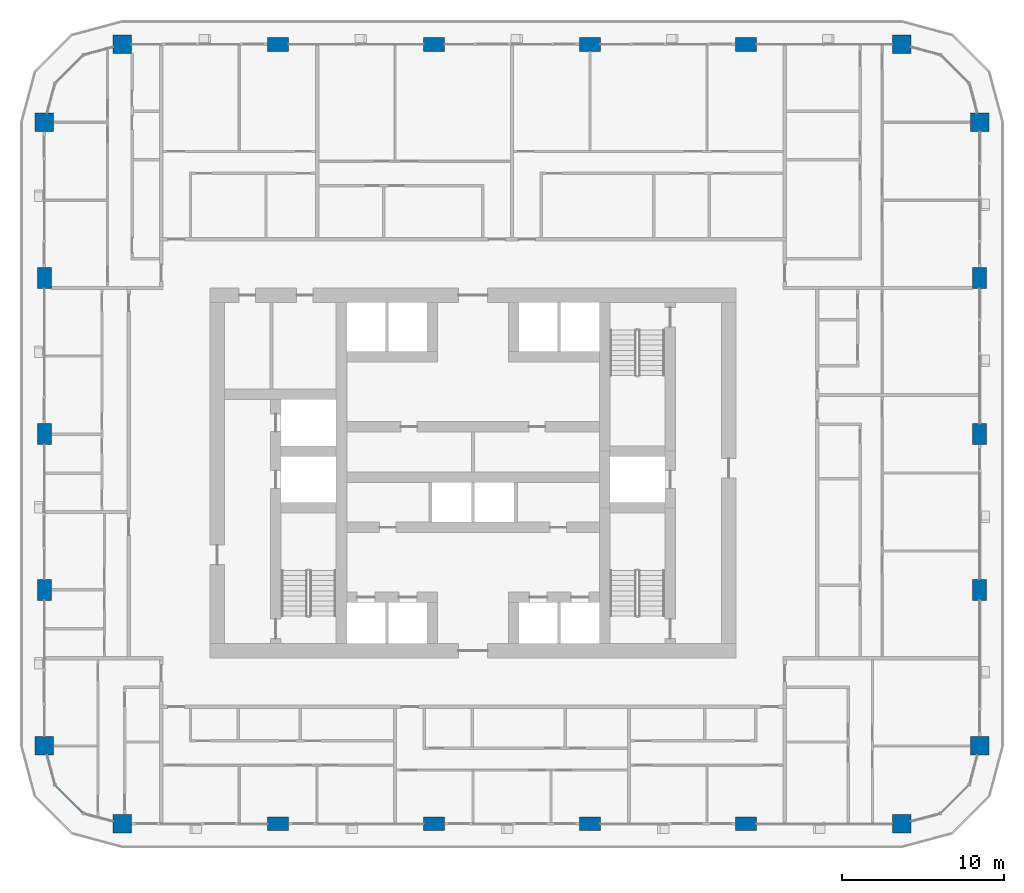
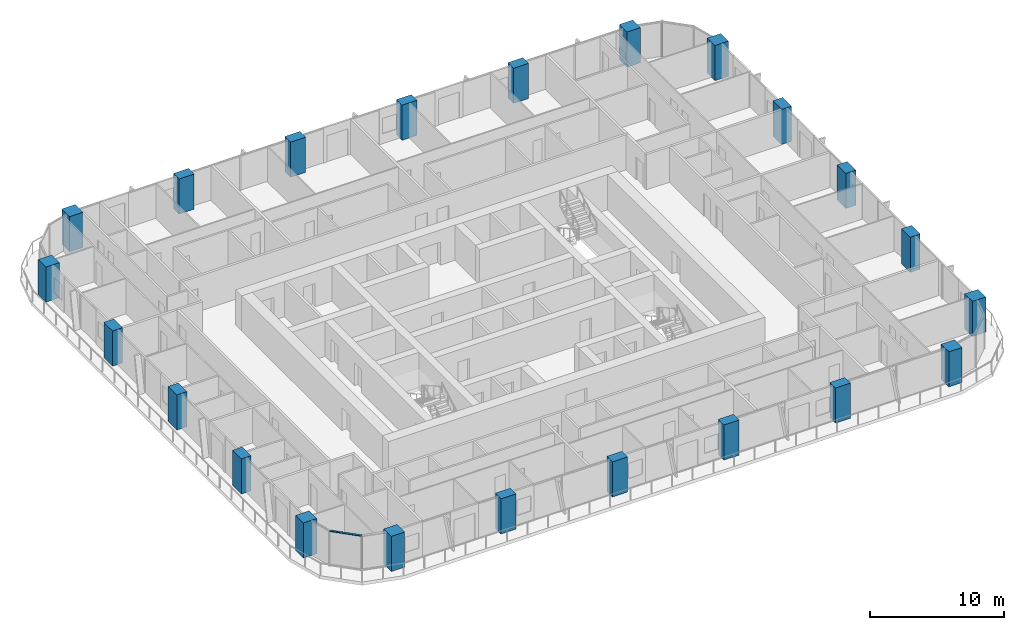
# One storey, part 1 of 21: 22 columns, 1 member, 1 element without a shape of its own.
"""IFC4 building model written with IfcOpenShell, lengths in metres."""

from ifc_helpers import new_model, si_unit, direction, frame, origin, origin_2d, place, context, subcontext, project, spatial, rectangle, extrude, material, layer, layer_set, material_profile, profile_set, type_object, element, aggregate, save


model = new_model("IFC4")

# Units and contexts
model_context = context("Model", 3, precision=1e-05, world=origin(), true_north=direction((0.0, 1.0)))
body_context = subcontext(model_context, "Body", "Model", "MODEL_VIEW")
ifc_project = project(units=[si_unit("LENGTHUNIT", "METRE"), si_unit("AREAUNIT", "SQUARE_METRE"), si_unit("VOLUMEUNIT", "CUBIC_METRE"), si_unit("PLANEANGLEUNIT", "RADIAN"), si_unit("MASSUNIT", "GRAM", prefix="KILO")], contexts=[model_context])

# Site, building, storey
site_placement = place(None, origin())
site = spatial("IfcSite", under=ifc_project, at=site_placement, CompositionType="ELEMENT")
building_placement = place(site_placement, origin())
building = spatial("IfcBuilding", under=site, at=building_placement, Name="Madar Terraces", CompositionType="ELEMENT")
storey_placement = place(building_placement, frame((0.0, 0.0, 106.699951171875)))
storey = spatial("IfcBuildingStorey", under=building, at=storey_placement, Name="L27", CompositionType="ELEMENT", Elevation=106.699951171875)

# Columns
ifc_material_1 = material(Name="Concrete C80/95", Category="concrete")
ifc_material_profile_1 = material_profile(ifc_material_1, rectangle(XDim=1.300048828125, YDim=0.85009765625, at=origin_2d()), Name="CC2 RC 1300x850")
ifc_profile_set_1 = profile_set([ifc_material_profile_1], Name="Concrete C80/95")
column_type_1 = type_object("IfcColumnType", Name="CC2 RC 1300x850", PredefinedType="COLUMN", material=ifc_profile_set_1)
for number, where, z_axis, x_axis, name in (
    (1, (19.199951171875, 4.800048828125, 0.0), (0.0, 0.0, 1.0), (1.0, 0.0, 0.0), "Perimeter column S2"),
    (2, (28.800048828125, 4.800048828125, 0.0), (0.0, 0.0, 1.0), (1.0, 0.0, 0.0), "Perimeter column S3"),
    (3, (38.39990234375, 4.800048828125, 0.0), (0.0, 0.0, 1.0), (1.0, 0.0, 0.0), "Perimeter column S4"),
    (4, (48.0, 4.800048828125, 0.0), (0.0, 0.0, 1.0), (1.0, 0.0, 0.0), "Perimeter column S5"),
    (5, (62.39990234375, 19.199951171875, 0.0), (0.0, 0.0, 1.0), (0.0, 1.0, 0.0), "Perimeter column E2"),
    (6, (62.39990234375, 28.800048828125, 0.0), (0.0, 0.0, 1.0), (0.0, 1.0, 0.0), "Perimeter column E3"),
    (7, (62.39990234375, 38.39990234375, 0.0), (0.0, 0.0, 1.0), (0.0, 1.0, 0.0), "Perimeter column E4"),
    (8, (48.0, 52.800048828125, 0.0), (0.0, 0.0, 1.0), (1.0, 0.0, 0.0), "Perimeter column N2"),
    (9, (38.39990234375, 52.800048828125, 0.0), (0.0, 0.0, 1.0), (1.0, 0.0, 0.0), "Perimeter column N3"),
    (10, (28.800048828125, 52.800048828125, 0.0), (0.0, 0.0, 1.0), (1.0, 0.0, 0.0), "Perimeter column N4"),
    (11, (19.199951171875, 52.800048828125, 0.0), (0.0, 0.0, 1.0), (1.0, 0.0, 0.0), "Perimeter column N5"),
    (12, (4.800048828125, 38.39990234375, 0.0), (0.0, 0.0, 1.0), (0.0, 1.0, 0.0), "Perimeter column W2"),
    (13, (4.800048828125, 28.800048828125, 0.0), (0.0, 0.0, 1.0), (0.0, 1.0, 0.0), "Perimeter column W3"),
    (14, (4.800048828125, 19.199951171875, 0.0), (0.0, 0.0, 1.0), (0.0, 1.0, 0.0), "Perimeter column W4"),
):
    element("IfcColumn", number, at=place(storey_placement, frame(where, z_axis=z_axis, x_axis=x_axis)), inside=storey, type_object=column_type_1, Name=name, PredefinedType="COLUMN", context=body_context, shape_type="SweptSolid", body=[
        extrude(rectangle(XDim=1.300048828125, YDim=0.85009765625, at=origin_2d()), origin(), (0.0, 0.0, 1.0), 3.199951171875),
    ])
ifc_material_2 = material(Name="Concrete C80/95", Category="concrete")
ifc_material_profile_2 = material_profile(ifc_material_2, rectangle(XDim=1.14990234375, YDim=1.14990234375, at=origin_2d()), Name="KC2 RC 1150x1150")
ifc_profile_set_2 = profile_set([ifc_material_profile_2], Name="Concrete C80/95")
column_type_2 = type_object("IfcColumnType", Name="KC2 RC 1150x1150", PredefinedType="COLUMN", material=ifc_profile_set_2)
for number, where, z_axis, x_axis, name in (
    (15, (9.60009765625, 4.800048828125, 0.0), (0.0, 0.0, 1.0), (1.0, 0.0, 0.0), "Perimeter column S1"),
    (16, (57.60009765625, 4.800048828125, 0.0), (0.0, 0.0, 1.0), (1.0, 0.0, 0.0), "Perimeter column S6"),
    (17, (62.39990234375, 9.60009765625, 0.0), (0.0, 0.0, 1.0), (1.0, 0.0, 0.0), "Perimeter column E1"),
    (18, (62.39990234375, 48.0, 0.0), (0.0, 0.0, 1.0), (1.0, 0.0, 0.0), "Perimeter column E5"),
    (19, (57.60009765625, 52.800048828125, 0.0), (0.0, 0.0, 1.0), (1.0, 0.0, 0.0), "Perimeter column N1"),
    (20, (9.60009765625, 52.800048828125, 0.0), (0.0, 0.0, 1.0), (1.0, 0.0, 0.0), "Perimeter column N6"),
    (21, (4.800048828125, 48.0, 0.0), (0.0, 0.0, 1.0), (1.0, 0.0, 0.0), "Perimeter column W1"),
    (22, (4.800048828125, 9.60009765625, 0.0), (0.0, 0.0, 1.0), (1.0, 0.0, 0.0), "Perimeter column W5"),
):
    element("IfcColumn", number, at=place(storey_placement, frame(where, z_axis=z_axis, x_axis=x_axis)), inside=storey, type_object=column_type_2, Name=name, PredefinedType="COLUMN", context=body_context, shape_type="SweptSolid", body=[
        extrude(rectangle(XDim=1.14990234375, YDim=1.14990234375, at=origin_2d()), origin(), (0.0, 0.0, 1.0), 3.199951171875),
    ])

# Curtain wall, member
ifc_material_3 = material(Name="Glass, ceramic frit dark grey, with black aluminium frame", Category="aluminium")
ifc_layer = layer(ifc_material_3, 0.199951171875)
ifc_layer_set = layer_set([ifc_layer], Name="Facade curtain wall, fritted glass")
curtain_wall_type = type_object("IfcCurtainWallType", Name="Facade curtain wall, fritted glass", PredefinedType="NOTDEFINED", material=ifc_layer_set)
curtain_wall_placement = place(storey_placement, origin())
curtain_wall = element("IfcCurtainWall", 23, at=curtain_wall_placement, inside=storey, type_object=curtain_wall_type, Name="Outer skin curtain wall south-west corner", PredefinedType="NOTDEFINED")
ifc_material_4 = material(Name="Aluminium, black anodised", Category="aluminium")
ifc_material_profile_3 = material_profile(ifc_material_4, rectangle(XDim=0.1201171875, YDim=0.06005859375, at=origin_2d()), Name="Facade transom 60x120")
ifc_profile_set_3 = profile_set([ifc_material_profile_3], Name="Aluminium, black anodised")
member_type = type_object("IfcMemberType", Name="Facade transom 60x120", PredefinedType="USERDEFINED", material=ifc_profile_set_3)
member_placement = place(storey_placement, frame((5.46435546875, 7.1787109375, 3.170166015625), z_axis=(0.707106781187, -0.707106781187, 0.0), x_axis=(0.707106781187, 0.707106781187, 0.0)))
member = element("IfcMember", 24, at=member_placement, type_object=member_type, Name="Transom 2", ObjectType="TRANSOM", PredefinedType="USERDEFINED", context=body_context, shape_type="SweptSolid", body=[
    extrude(rectangle(XDim=0.1201171875, YDim=0.06005859375, at=origin_2d()), origin(), (0.0, 0.0, 1.0), 2.424560546875),
])
aggregate(curtain_wall, [member])

save(model, "model.ifc")
